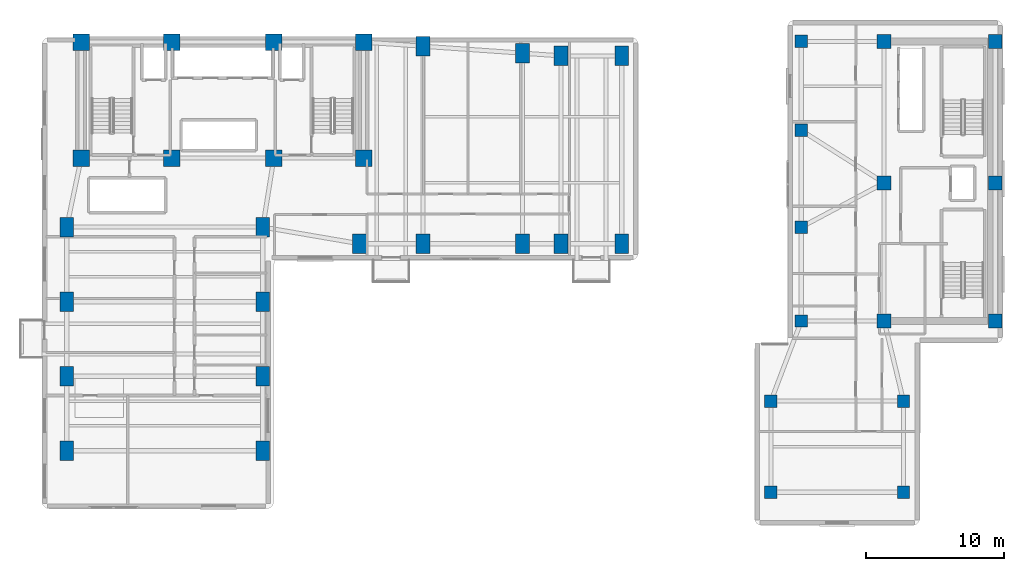
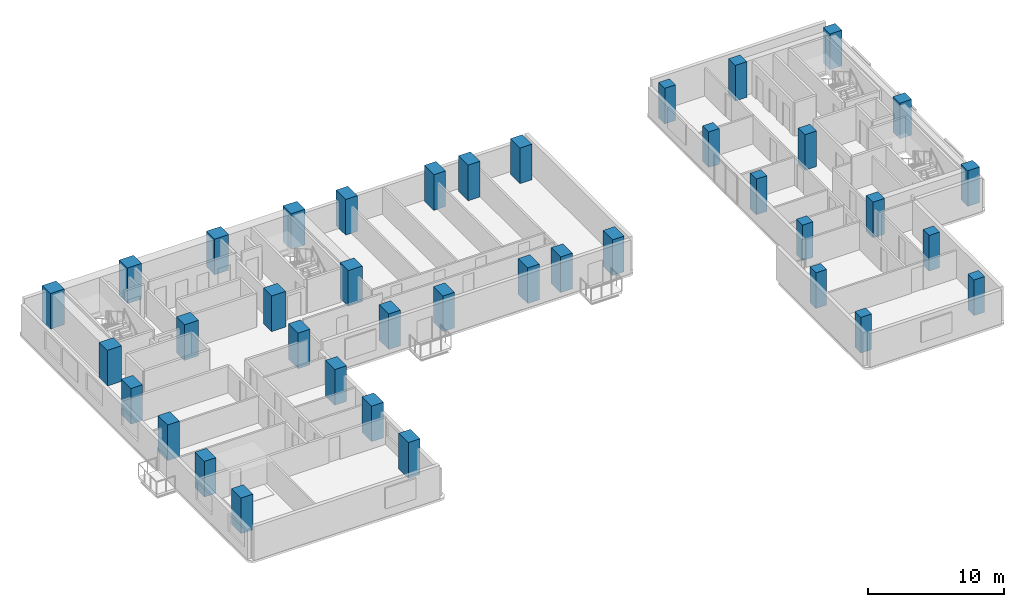
# One storey, part 1 of 17: 39 columns.
"""IFC4 building model written with IfcOpenShell, lengths in metres."""

from ifc_helpers import new_model, si_unit, direction, frame, origin, origin_2d, place, context, subcontext, project, spatial, rectangle, extrude, material, material_profile, profile_set, type_object, element, save


model = new_model("IFC4")

# Units and contexts
model_context = context("Model", 3, precision=1e-05, world=origin(), true_north=direction((0.0, 1.0)))
body_context = subcontext(model_context, "Body", "Model", "MODEL_VIEW")
ifc_project = project(units=[si_unit("LENGTHUNIT", "METRE"), si_unit("AREAUNIT", "SQUARE_METRE"), si_unit("VOLUMEUNIT", "CUBIC_METRE"), si_unit("PLANEANGLEUNIT", "RADIAN"), si_unit("MASSUNIT", "GRAM", prefix="KILO")], contexts=[model_context])

# Site, building, storey
site_placement = place(None, origin())
site = spatial("IfcSite", under=ifc_project, at=site_placement, CompositionType="ELEMENT")
building_placement = place(site_placement, origin())
building = spatial("IfcBuilding", under=site, at=building_placement, Name="Kuzgunbayir Cultural Tower", CompositionType="ELEMENT")
storey_placement = place(building_placement, frame((0.0, 0.0, 56.39990234375)))
storey = spatial("IfcBuildingStorey", under=building, at=storey_placement, Name="L15", CompositionType="ELEMENT", Elevation=56.39990234375)

# Columns
ifc_material = material(Name="Concrete C60/75", Category="concrete")
ifc_material_profile_1 = material_profile(ifc_material, rectangle(XDim=1.199951171875, YDim=1.199951171875, at=origin_2d()), Name="RC 1200x1200")
ifc_profile_set_1 = profile_set([ifc_material_profile_1], Name="Concrete C60/75")
column_type_1 = type_object("IfcColumnType", Name="COL-CORE-1200", PredefinedType="COLUMN", material=ifc_profile_set_1)
for number, where, z_axis, x_axis, name in (
    (1, (6.449951171875, 33.800048828125, 0.0), (0.0, 0.0, 1.0), (1.0, 0.0, 0.0), "L15 T1 Core Boundary Column CC1-1"),
    (2, (13.0, 33.800048828125, 0.0), (0.0, 0.0, 1.0), (1.0, 0.0, 0.0), "L15 T1 Core Boundary Column CC1-2"),
    (3, (20.39990234375, 33.800048828125, 0.0), (0.0, 0.0, 1.0), (1.0, 0.0, 0.0), "L15 T1 Core Boundary Column CC1-3"),
    (4, (26.89990234375, 33.800048828125, 0.0), (0.0, 0.0, 1.0), (1.0, 0.0, 0.0), "L15 T1 Core Boundary Column CC1-4"),
    (5, (6.449951171875, 42.199951171875, 0.0), (0.0, 0.0, 1.0), (1.0, 0.0, 0.0), "L15 T1 Core Boundary Column CC1-5"),
    (6, (13.0, 42.199951171875, 0.0), (0.0, 0.0, 1.0), (1.0, 0.0, 0.0), "L15 T1 Core Boundary Column CC1-6"),
    (7, (20.39990234375, 42.199951171875, 0.0), (0.0, 0.0, 1.0), (1.0, 0.0, 0.0), "L15 T1 Core Boundary Column CC1-7"),
    (8, (26.89990234375, 42.199951171875, 0.0), (0.0, 0.0, 1.0), (1.0, 0.0, 0.0), "L15 T1 Core Boundary Column CC1-8"),
):
    element("IfcColumn", number, at=place(storey_placement, frame(where, z_axis=z_axis, x_axis=x_axis)), inside=storey, type_object=column_type_1, Name=name, PredefinedType="COLUMN", context=body_context, shape_type="SweptSolid", body=[
        extrude(rectangle(XDim=1.199951171875, YDim=1.199951171875, at=origin_2d()), origin(), (0.0, 0.0, 1.0), 3.2001953125),
    ])
ifc_material_profile_2 = material_profile(ifc_material, rectangle(XDim=1.0, YDim=1.39990234375, at=origin_2d()), Name="RC 1400x1000")
ifc_profile_set_2 = profile_set([ifc_material_profile_2], Name="Concrete C60/75")
column_type_2 = type_object("IfcColumnType", Name="COL-T1-1400x1000", PredefinedType="COLUMN", material=ifc_profile_set_2)
for number, where, z_axis, x_axis, name in (
    (9, (5.39990234375, 12.60009765625, 0.0), (0.0, 0.0, 1.0), (1.0, 0.0, 0.0), "L15 Tower 1 Wing A Column T1A-W-1"),
    (10, (19.60009765625, 12.60009765625, 0.0), (0.0, 0.0, 1.0), (1.0, 0.0, 0.0), "L15 Tower 1 Wing A Column T1A-E-1"),
    (11, (5.39990234375, 18.0, 0.0), (0.0, 0.0, 1.0), (1.0, 0.0, 0.0), "L15 Tower 1 Wing A Column T1A-W-2"),
    (12, (19.60009765625, 18.0, 0.0), (0.0, 0.0, 1.0), (1.0, 0.0, 0.0), "L15 Tower 1 Wing A Column T1A-E-2"),
    (13, (5.39990234375, 23.39990234375, 0.0), (0.0, 0.0, 1.0), (1.0, 0.0, 0.0), "L15 Tower 1 Wing A Column T1A-W-3"),
    (14, (19.60009765625, 23.39990234375, 0.0), (0.0, 0.0, 1.0), (1.0, 0.0, 0.0), "L15 Tower 1 Wing A Column T1A-E-3"),
    (15, (5.39990234375, 28.800048828125, 0.0), (0.0, 0.0, 1.0), (1.0, 0.0, 0.0), "L15 Tower 1 Wing A Column T1A-W-4"),
    (16, (19.60009765625, 28.800048828125, 0.0), (0.0, 0.0, 1.0), (1.0, 0.0, 0.0), "L15 Tower 1 Wing A Column T1A-E-4"),
    (17, (26.60009765625, 27.60009765625, 0.0), (0.0, 0.0, 1.0), (1.0, 0.0, 0.0), "L15 Tower 1 Wing B Column T1B-1-1"),
    (18, (31.199951171875, 27.60009765625, 0.0), (0.0, 0.0, 1.0), (1.0, 0.0, 0.0), "L15 Tower 1 Wing B Column T1B-2-1"),
    (19, (31.199951171875, 41.89990234375, 0.0), (0.0, 0.0, 1.0), (1.0, 0.0, 0.0), "L15 Tower 1 Wing B Column T1B-2-2"),
    (20, (38.39990234375, 27.60009765625, 0.0), (0.0, 0.0, 1.0), (1.0, 0.0, 0.0), "L15 Tower 1 Wing B Column T1B-3-1"),
    (21, (38.39990234375, 41.39990234375, 0.0), (0.0, 0.0, 1.0), (1.0, 0.0, 0.0), "L15 Tower 1 Wing B Column T1B-3-2"),
    (22, (41.199951171875, 27.60009765625, 0.0), (0.0, 0.0, 1.0), (1.0, 0.0, 0.0), "L15 Tower 1 Wing B Column T1B-4-1"),
    (23, (41.199951171875, 41.199951171875, 0.0), (0.0, 0.0, 1.0), (1.0, 0.0, 0.0), "L15 Tower 1 Wing B Column T1B-4-2"),
    (24, (45.60009765625, 27.60009765625, 0.0), (0.0, 0.0, 1.0), (1.0, 0.0, 0.0), "L15 Tower 1 Wing B Column T1B-5-1"),
    (25, (45.60009765625, 41.199951171875, 0.0), (0.0, 0.0, 1.0), (1.0, 0.0, 0.0), "L15 Tower 1 Wing B Column T1B-5-2"),
):
    element("IfcColumn", number, at=place(storey_placement, frame(where, z_axis=z_axis, x_axis=x_axis)), inside=storey, type_object=column_type_2, Name=name, PredefinedType="COLUMN", context=body_context, shape_type="SweptSolid", body=[
        extrude(rectangle(XDim=1.0, YDim=1.39990234375, at=origin_2d()), origin(), (0.0, 0.0, 1.0), 3.2001953125),
    ])
ifc_material_profile_3 = material_profile(ifc_material, rectangle(XDim=1.0, YDim=1.0, at=origin_2d()), Name="RC 1000x1000")
ifc_profile_set_3 = profile_set([ifc_material_profile_3], Name="Concrete C60/75")
column_type_3 = type_object("IfcColumnType", Name="COL-T2-1000", PredefinedType="COLUMN", material=ifc_profile_set_3)
for number, where, z_axis, x_axis, name in (
    (26, (64.60009765625, 22.0, 0.0), (0.0, 0.0, 1.0), (1.0, 0.0, 0.0), "L15 T2 Core Boundary Column CC2-1"),
    (27, (72.64990234375, 22.0, 0.0), (0.0, 0.0, 1.0), (1.0, 0.0, 0.0), "L15 T2 Core Boundary Column CC2-2"),
    (28, (64.60009765625, 32.0, 0.0), (0.0, 0.0, 1.0), (1.0, 0.0, 0.0), "L15 T2 Core Boundary Column CC2-3"),
    (29, (72.64990234375, 32.0, 0.0), (0.0, 0.0, 1.0), (1.0, 0.0, 0.0), "L15 T2 Core Boundary Column CC2-4"),
    (30, (64.60009765625, 42.25, 0.0), (0.0, 0.0, 1.0), (1.0, 0.0, 0.0), "L15 T2 Core Boundary Column CC2-5"),
    (31, (72.64990234375, 42.25, 0.0), (0.0, 0.0, 1.0), (1.0, 0.0, 0.0), "L15 T2 Core Boundary Column CC2-6"),
):
    element("IfcColumn", number, at=place(storey_placement, frame(where, z_axis=z_axis, x_axis=x_axis)), inside=storey, type_object=column_type_3, Name=name, PredefinedType="COLUMN", context=body_context, shape_type="SweptSolid", body=[
        extrude(rectangle(XDim=1.0, YDim=1.0, at=origin_2d()), origin(), (0.0, 0.0, 1.0), 3.2001953125),
    ])
ifc_material_profile_4 = material_profile(ifc_material, rectangle(XDim=0.89990234375, YDim=0.89990234375, at=origin_2d()), Name="RC 900x900")
ifc_profile_set_4 = profile_set([ifc_material_profile_4], Name="Concrete C60/75")
column_type_4 = type_object("IfcColumnType", Name="COL-T2-900", PredefinedType="COLUMN", material=ifc_profile_set_4)
for number, where, z_axis, x_axis, name in (
    (32, (58.60009765625, 22.0, 0.0), (0.0, 0.0, 1.0), (1.0, 0.0, 0.0), "L15 Companion Wing A Column T2A-W-1"),
    (33, (58.60009765625, 28.800048828125, 0.0), (0.0, 0.0, 1.0), (1.0, 0.0, 0.0), "L15 Companion Wing A Column T2A-W-2"),
    (34, (58.60009765625, 35.800048828125, 0.0), (0.0, 0.0, 1.0), (1.0, 0.0, 0.0), "L15 Companion Wing A Column T2A-W-3"),
    (35, (58.60009765625, 42.25, 0.0), (0.0, 0.0, 1.0), (1.0, 0.0, 0.0), "L15 Companion Wing A Column T2A-W-4"),
    (36, (56.39990234375, 9.60009765625, 0.0), (0.0, 0.0, 1.0), (1.0, 0.0, 0.0), "L15 Companion Wing B Column T2B-1-1"),
    (37, (56.39990234375, 16.199951171875, 0.0), (0.0, 0.0, 1.0), (1.0, 0.0, 0.0), "L15 Companion Wing B Column T2B-1-2"),
    (38, (66.0, 9.60009765625, 0.0), (0.0, 0.0, 1.0), (1.0, 0.0, 0.0), "L15 Companion Wing B Column T2B-2-1"),
    (39, (66.0, 16.199951171875, 0.0), (0.0, 0.0, 1.0), (1.0, 0.0, 0.0), "L15 Companion Wing B Column T2B-2-2"),
):
    element("IfcColumn", number, at=place(storey_placement, frame(where, z_axis=z_axis, x_axis=x_axis)), inside=storey, type_object=column_type_4, Name=name, PredefinedType="COLUMN", context=body_context, shape_type="SweptSolid", body=[
        extrude(rectangle(XDim=0.89990234375, YDim=0.89990234375, at=origin_2d()), origin(), (0.0, 0.0, 1.0), 3.2001953125),
    ])

save(model, "model.ifc")
